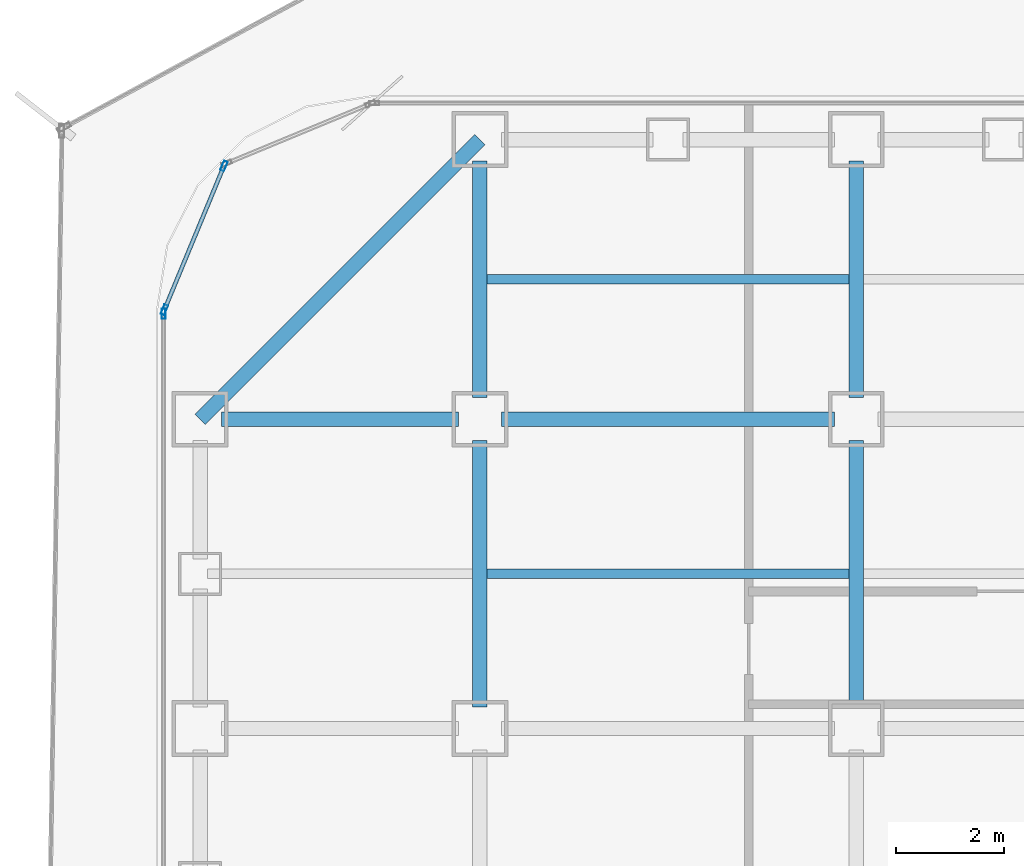
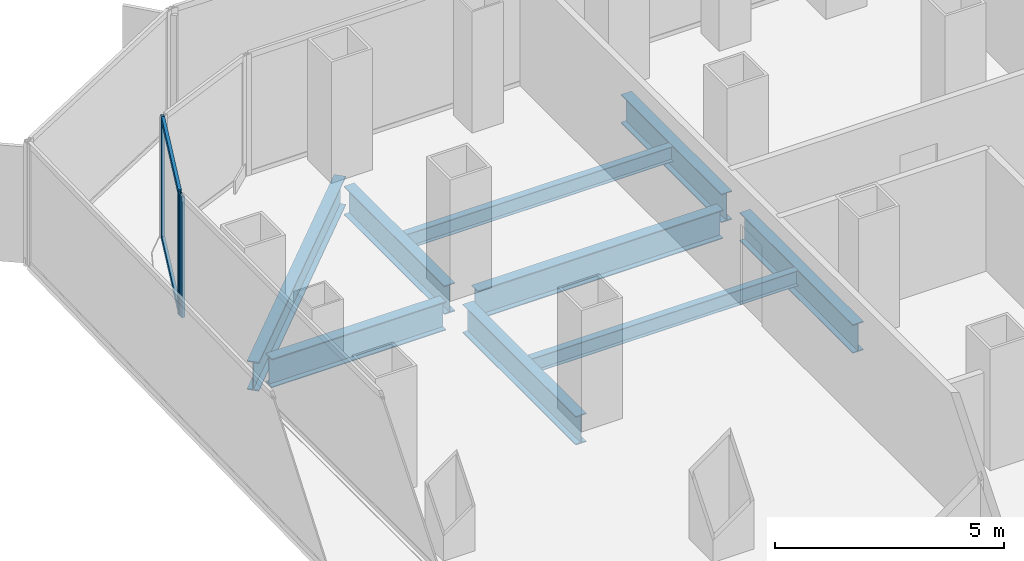
# One storey, part 10 of 22: 9 beams, 5 members, 2 elements without a shape of their own.
"""IFC4 building model written with IfcOpenShell, lengths in metres."""

from ifc_helpers import new_model, si_unit, direction, frame, origin, origin_2d, place, context, subcontext, project, spatial, hollow_rectangle, i_section, extrude, source, transform, mapped, material, layer, layer_set, material_profile, profile_set, type_object, element, aggregate, save


model = new_model("IFC4")

# Units and contexts
model_context = context("Model", 3, precision=1e-05, world=origin(), true_north=direction((0.0, 1.0)))
body_context = subcontext(model_context, "Body", "Model", "MODEL_VIEW")
ifc_project = project(units=[si_unit("LENGTHUNIT", "METRE"), si_unit("AREAUNIT", "SQUARE_METRE"), si_unit("VOLUMEUNIT", "CUBIC_METRE"), si_unit("PLANEANGLEUNIT", "RADIAN"), si_unit("MASSUNIT", "GRAM", prefix="KILO")], contexts=[model_context])

# Site, building, storey
site_placement = place(None, origin())
site = spatial("IfcSite", under=ifc_project, at=site_placement, CompositionType="ELEMENT")
building_placement = place(site_placement, origin())
building = spatial("IfcBuilding", under=site, at=building_placement, Name="Kolveth Station Tower", CompositionType="ELEMENT")
storey_placement = place(building_placement, frame((0.0, 0.0, 72.89990234375)))
storey = spatial("IfcBuildingStorey", under=building, at=storey_placement, Name="L19", CompositionType="ELEMENT", Elevation=72.89990234375)

# Beams
ifc_material_1 = material(Name="Steel S355", Category="steel")
ifc_material_profile_1 = material_profile(ifc_material_1, i_section(OverallWidth=0.26904296875, OverallDepth=0.77490234375, WebThickness=0.01708984375, FlangeThickness=0.0283203125, at=origin_2d()), Name="W760x220")
ifc_profile_set_1 = profile_set([ifc_material_profile_1], Name="Steel S355")
beam_type_1 = type_object("IfcBeamType", Name="Beam_SP1", PredefinedType="SPANDREL", material=ifc_profile_set_1)
shared_shape_1 = source(origin(), body_context, "Body", "SweptSolid", [
    extrude(i_section(OverallWidth=0.26904296875, OverallDepth=0.77490234375, WebThickness=0.01708984375, FlangeThickness=0.0283203125, at=origin_2d()), origin(), (0.0, 0.0, 1.0), 7.353759765625),
])
beam_1_placement = place(storey_placement, frame((6.0, 39.699951171875, -0.66748046875), z_axis=(-0.707106781187, -0.707106781187, 0.0), x_axis=(0.707106781187, -0.707106781187, 0.0)))
element("IfcBeam", 1, at=beam_1_placement, inside=storey, type_object=beam_type_1, Name="L19 Corner Edge Girder BM-L19-CNR-NW", PredefinedType="SPANDREL", context=body_context, shape_type="MappedRepresentation", body=[
    mapped(shared_shape_1, transform((0.0, 0.0, 0.0), x_axis=(1.0, 0.0, 0.0), y_axis=(0.0, 1.0, 0.0), z_axis=(0.0, 0.0, 1.0), scale=1.0)),
])
ifc_material_profile_2 = material_profile(ifc_material_1, i_section(OverallWidth=0.26708984375, OverallDepth=0.76611328125, WebThickness=0.014892578125, FlangeThickness=0.023681640625, at=origin_2d()), Name="W760x185")
ifc_profile_set_2 = profile_set([ifc_material_profile_2], Name="Steel S355")
beam_type_2 = type_object("IfcBeamType", Name="Beam_B3", PredefinedType="BEAM", material=ifc_profile_set_2)
shared_shape_2 = source(origin(), body_context, "Body", "SweptSolid", [
    extrude(i_section(OverallWidth=0.26708984375, OverallDepth=0.76611328125, WebThickness=0.014892578125, FlangeThickness=0.023681640625, at=origin_2d()), origin(), (0.0, 0.0, 1.0), 4.400146484375),
])
for number, where, z_axis, x_axis, name in (
    (2, (1.199951171875, 34.5, -0.662841796875), (1.0, 0.0, 0.0), (0.0, 1.0, 0.0), "L19 Primary Girder BM-L19-GY345-1"),
    (3, (6.0, 34.89990234375, -0.662841796875), (0.0, 1.0, 0.0), (-1.0, 0.0, 0.0), "L19 Primary Girder BM-L19-GX60-7"),
    (4, (13.0, 34.89990234375, -0.662841796875), (0.0, 1.0, 0.0), (-1.0, 0.0, 0.0), "L19 Primary Girder BM-L19-GX130-7"),
):
    element("IfcBeam", number, at=place(storey_placement, frame(where, z_axis=z_axis, x_axis=x_axis)), inside=storey, type_object=beam_type_2, Name=name, PredefinedType="BEAM", context=body_context, shape_type="MappedRepresentation", body=[
        mapped(shared_shape_2, transform((0.0, 0.0, 0.0), x_axis=(1.0, 0.0, 0.0), y_axis=(0.0, 1.0, 0.0), z_axis=(0.0, 0.0, 1.0), scale=1.0)),
    ])
shared_shape_3 = source(origin(), body_context, "Body", "SweptSolid", [
    extrude(i_section(OverallWidth=0.26708984375, OverallDepth=0.76611328125, WebThickness=0.014892578125, FlangeThickness=0.023681640625, at=origin_2d()), origin(), (0.0, 0.0, 1.0), 6.2001953125),
])
beam_2_placement = place(storey_placement, frame((6.39990234375, 34.5, -0.662841796875), z_axis=(1.0, 0.0, 0.0), x_axis=(0.0, 1.0, 0.0)))
element("IfcBeam", 5, at=beam_2_placement, inside=storey, type_object=beam_type_2, Name="L19 Primary Girder BM-L19-GY345-2", PredefinedType="BEAM", context=body_context, shape_type="MappedRepresentation", body=[
    mapped(shared_shape_3, transform((0.0, 0.0, 0.0), x_axis=(1.0, 0.0, 0.0), y_axis=(0.0, 1.0, 0.0), z_axis=(0.0, 0.0, 1.0), scale=1.0)),
])
shared_shape_4 = source(origin(), body_context, "Body", "SweptSolid", [
    extrude(i_section(OverallWidth=0.26708984375, OverallDepth=0.76611328125, WebThickness=0.014892578125, FlangeThickness=0.023681640625, at=origin_2d()), origin(), (0.0, 0.0, 1.0), 4.9501953125),
])
for number, where, z_axis, x_axis, name in (
    (6, (6.0, 29.14990234375, -0.662841796875), (0.0, 1.0, 0.0), (-1.0, 0.0, 0.0), "L19 Primary Girder BM-L19-GX60-6"),
    (7, (13.0, 29.14990234375, -0.662841796875), (0.0, 1.0, 0.0), (-1.0, 0.0, 0.0), "L19 Primary Girder BM-L19-GX130-6"),
):
    element("IfcBeam", number, at=place(storey_placement, frame(where, z_axis=z_axis, x_axis=x_axis)), inside=storey, type_object=beam_type_2, Name=name, PredefinedType="BEAM", context=body_context, shape_type="MappedRepresentation", body=[
        mapped(shared_shape_4, transform((0.0, 0.0, 0.0), x_axis=(1.0, 0.0, 0.0), y_axis=(0.0, 1.0, 0.0), z_axis=(0.0, 0.0, 1.0), scale=1.0)),
    ])
ifc_material_profile_3 = material_profile(ifc_material_1, i_section(OverallWidth=0.177978515625, OverallDepth=0.406982421875, WebThickness=0.0078125, FlangeThickness=0.0126953125, at=origin_2d()), Name="W410x60")
ifc_profile_set_3 = profile_set([ifc_material_profile_3], Name="Steel S355")
beam_type_3 = type_object("IfcBeamType", Name="Beam_J1", PredefinedType="JOIST", material=ifc_profile_set_3)
shared_shape_5 = source(origin(), body_context, "Body", "SweptSolid", [
    extrude(i_section(OverallWidth=0.177978515625, OverallDepth=0.406982421875, WebThickness=0.0078125, FlangeThickness=0.0126953125, at=origin_2d()), origin(), (0.0, 0.0, 1.0), 6.73681640625),
])
for number, where, z_axis, x_axis, name in (
    (8, (6.131591796875, 31.625, -0.4833984375), (1.0, 0.0, 0.0), (0.0, 1.0, 0.0), "L19 Secondary Joist JST-L19-2-6"),
    (9, (6.131591796875, 37.10009765625, -0.4833984375), (1.0, 0.0, 0.0), (0.0, 1.0, 0.0), "L19 Secondary Joist JST-L19-2-7"),
):
    element("IfcBeam", number, at=place(storey_placement, frame(where, z_axis=z_axis, x_axis=x_axis)), inside=storey, type_object=beam_type_3, Name=name, PredefinedType="JOIST", context=body_context, shape_type="MappedRepresentation", body=[
        mapped(shared_shape_5, transform((0.0, 0.0, 0.0), x_axis=(1.0, 0.0, 0.0), y_axis=(0.0, 1.0, 0.0), z_axis=(0.0, 0.0, 1.0), scale=1.0)),
    ])

# Curtain wall, members
ifc_material_2 = material(Name="Aluminium 6063-T6 and low-E dark glass", Category="aluminium")
ifc_layer = layer(ifc_material_2, 0.179931640625)
ifc_layer_set = layer_set([ifc_layer], Name="Aluminium 6063-T6 and low-E dark glass")
curtain_wall_type = type_object("IfcCurtainWallType", Name="CurtainWall_CW-Z1", PredefinedType="NOTDEFINED", material=ifc_layer_set)
curtain_wall_1_placement = place(storey_placement, origin())
curtain_wall_1 = element("IfcCurtainWall", 10, at=curtain_wall_1_placement, inside=storey, type_object=curtain_wall_type, Name="L19 Inner Thermal Curtain Wall 8", PredefinedType="NOTDEFINED")
ifc_material_3 = material(Name="Black anodized aluminium 6063-T6", Category="aluminium")
ifc_material_profile_4 = material_profile(ifc_material_3, hollow_rectangle(XDim=0.074951171875, YDim=0.159912109375, WallThickness=0.0048828125, at=origin_2d()), Name="ALU-75x160x5")
ifc_profile_set_4 = profile_set([ifc_material_profile_4], Name="Black anodized aluminium 6063-T6")
member_type_1 = type_object("IfcMemberType", Name="Transom_TR1", PredefinedType="USERDEFINED", material=ifc_profile_set_4)
shared_shape_6 = source(origin(), body_context, "Body", "SweptSolid", [
    extrude(hollow_rectangle(XDim=0.074951171875, YDim=0.159912109375, WallThickness=0.0048828125, at=origin_2d()), origin(), (0.0, 0.0, 1.0), 2.819580078125),
])
member_1_placement = place(storey_placement, frame((1.227783203125, 39.17431640625, 0.03759765625), z_axis=(-0.382708655389, -0.923869084389, 0.0), x_axis=(0.923869084389, -0.382708655389, 0.0)))
member_1 = element("IfcMember", 11, at=member_1_placement, type_object=member_type_1, Name="CW-Z1 transom 1.1", ObjectType="TRANSOM", PredefinedType="USERDEFINED", context=body_context, shape_type="MappedRepresentation", body=[
    mapped(shared_shape_6, transform((0.0, 0.0, 0.0), x_axis=(1.0, 0.0, 0.0), y_axis=(0.0, 1.0, 0.0), z_axis=(0.0, 0.0, 1.0), scale=1.0)),
])
member_2_placement = place(storey_placement, frame((1.227783203125, 39.17431640625, 3.20263671875), z_axis=(-0.382708655389, -0.923869084389, 0.0), x_axis=(0.923869084389, -0.382708655389, 0.0)))
member_2 = element("IfcMember", 12, at=member_2_placement, type_object=member_type_1, Name="CW-Z1 transom 1.2", ObjectType="TRANSOM", PredefinedType="USERDEFINED", context=body_context, shape_type="MappedRepresentation", body=[
    mapped(shared_shape_6, transform((0.0, 0.0, 0.0), x_axis=(1.0, 0.0, 0.0), y_axis=(0.0, 1.0, 0.0), z_axis=(0.0, 0.0, 1.0), scale=1.0)),
])
ifc_material_profile_5 = material_profile(ifc_material_3, hollow_rectangle(XDim=0.074951171875, YDim=0.18994140625, WallThickness=0.0048828125, at=origin_2d()), Name="ALU-75x190x5")
ifc_profile_set_5 = profile_set([ifc_material_profile_5], Name="Black anodized aluminium 6063-T6")
member_type_2 = type_object("IfcMemberType", Name="Mullion_ML1", PredefinedType="MULLION", material=ifc_profile_set_5)
shared_shape_7 = source(origin(), body_context, "Body", "SweptSolid", [
    extrude(hollow_rectangle(XDim=0.074951171875, YDim=0.18994140625, WallThickness=0.0048828125, at=origin_2d()), origin(), (0.0, 0.0, 1.0), 3.239990234375),
])
member_3_placement = place(storey_placement, frame((1.241943359375, 39.208984375, 0.0), z_axis=(0.0, 0.0, 1.0), x_axis=(0.923883857728, -0.382672990201, 0.0)))
member_3 = element("IfcMember", 13, at=member_3_placement, type_object=member_type_2, Name="CW-Z1 mullion 1", PredefinedType="MULLION", context=body_context, shape_type="MappedRepresentation", body=[
    mapped(shared_shape_7, transform((0.0, 0.0, 0.0), x_axis=(1.0, 0.0, 0.0), y_axis=(0.0, 1.0, 0.0), z_axis=(0.0, 0.0, 1.0), scale=1.0)),
])
member_4_placement = place(storey_placement, frame((0.13427734375, 36.53466796875, 0.0), z_axis=(0.0, 0.0, 1.0), x_axis=(0.923883857728, -0.382672990201, 0.0)))
member_4 = element("IfcMember", 14, at=member_4_placement, type_object=member_type_2, Name="CW-Z1 mullion 2", PredefinedType="MULLION", context=body_context, shape_type="MappedRepresentation", body=[
    mapped(shared_shape_7, transform((0.0, 0.0, 0.0), x_axis=(1.0, 0.0, 0.0), y_axis=(0.0, 1.0, 0.0), z_axis=(0.0, 0.0, 1.0), scale=1.0)),
])
aggregate(curtain_wall_1, [member_3, member_4, member_1, member_2])

# Curtain wall, member
curtain_wall_2_placement = place(storey_placement, origin())
curtain_wall_2 = element("IfcCurtainWall", 15, at=curtain_wall_2_placement, inside=storey, type_object=curtain_wall_type, Name="L19 Inner Thermal Curtain Wall 9", PredefinedType="NOTDEFINED")
member_5_placement = place(storey_placement, frame((0.1201171875, 36.46240234375, 0.0), z_axis=(0.0, 0.0, 1.0), x_axis=(1.0, 0.0, 0.0)))
member_5 = element("IfcMember", 16, at=member_5_placement, type_object=member_type_2, Name="CW-Z1 mullion 1", PredefinedType="MULLION", context=body_context, shape_type="MappedRepresentation", body=[
    mapped(shared_shape_7, transform((0.0, 0.0, 0.0), x_axis=(1.0, 0.0, 0.0), y_axis=(0.0, 1.0, 0.0), z_axis=(0.0, 0.0, 1.0), scale=1.0)),
])
aggregate(curtain_wall_2, [member_5])

save(model, "model.ifc")
